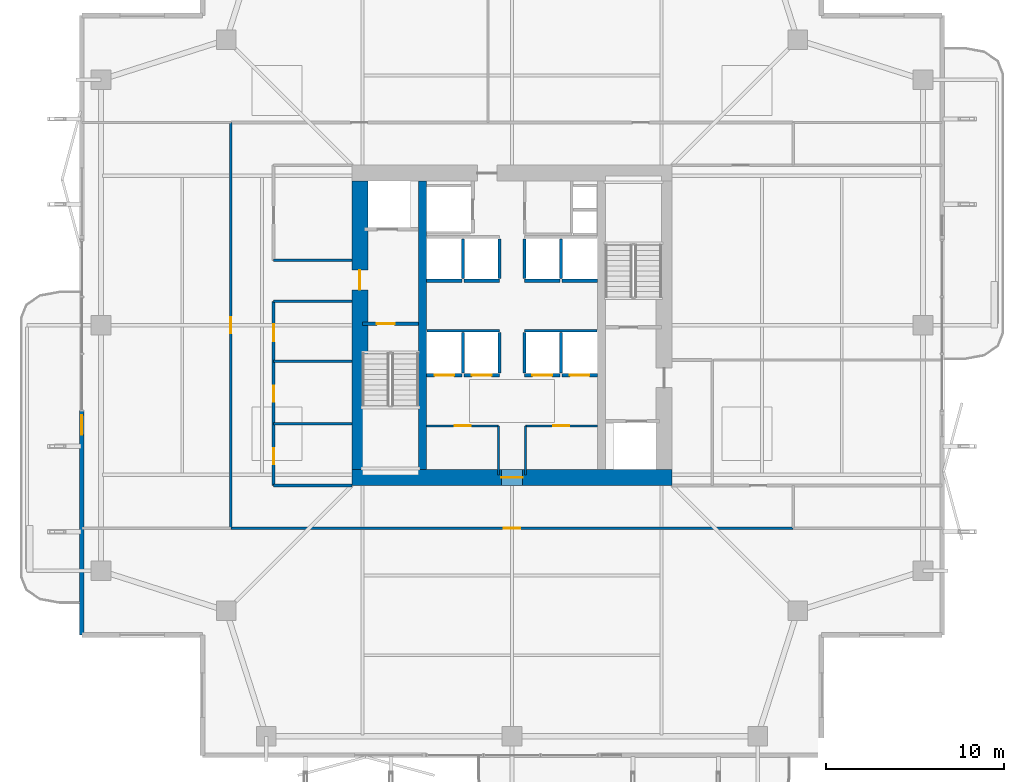
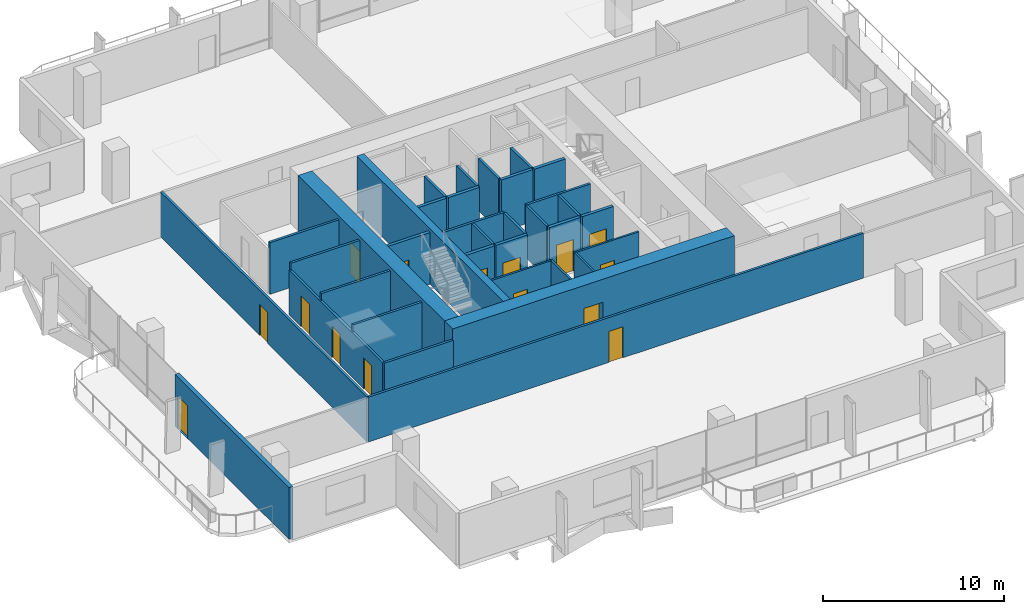
# One storey, part 18 of 23: 35 walls, 15 doors, 15 openings.
"""IFC4 building model written with IfcOpenShell, lengths in metres."""

from ifc_helpers import new_model, si_unit, direction, frame, frame_2d, origin, place, context, subcontext, project, spatial, rectangle, extrude, material, layer, layer_set, type_object, element, fill, save


model = new_model("IFC4")

# Units and contexts
model_context = context("Model", 3, precision=1e-05, world=origin(), true_north=direction((0.0, 1.0)))
body_context = subcontext(model_context, "Body", "Model", "MODEL_VIEW")
ifc_project = project(units=[si_unit("LENGTHUNIT", "METRE"), si_unit("AREAUNIT", "SQUARE_METRE"), si_unit("VOLUMEUNIT", "CUBIC_METRE"), si_unit("PLANEANGLEUNIT", "RADIAN"), si_unit("MASSUNIT", "GRAM", prefix="KILO")], contexts=[model_context])

# Site, building, storey
site_placement = place(None, origin())
site = spatial("IfcSite", under=ifc_project, at=site_placement, CompositionType="ELEMENT")
building_placement = place(site_placement, origin())
building = spatial("IfcBuilding", under=site, at=building_placement, Name="Belovzor Exchange Tower", CompositionType="ELEMENT")
storey_placement = place(building_placement, frame((0.0, 0.0, 157.050048828125)))
storey = spatial("IfcBuildingStorey", under=building, at=storey_placement, Name="L38", CompositionType="ELEMENT", Elevation=157.050048828125)

# Wall, opening, door
ifc_material_1 = material(Name="Fire-Rated Plasterboard on Galvanised Studs", Category="gypsum")
ifc_layer_1 = layer(ifc_material_1, 0.1201171875)
ifc_layer_set_1 = layer_set([ifc_layer_1], Name="Fire-Rated Plasterboard on Galvanised Studs")
wall_type_1 = type_object("IfcWallType", Name="Fire-Rated Double-Stud Partition Wall 120", PredefinedType="PARTITIONING", material=ifc_layer_set_1)
wall_1_placement = place(storey_placement, frame((24.0, 23.14990234375, 0.0), z_axis=(0.0, 0.0, 1.0), x_axis=(1.0, 0.0, 0.0)))
wall_1 = element("IfcWall", 1, at=wall_1_placement, inside=storey, type_object=wall_type_1, Name="W-P120F Partition Wall W-CRL-L38-WN", PredefinedType="PARTITIONING", context=body_context, shape_type="SweptSolid", body=[
    extrude(rectangle(XDim=4.050048828125, YDim=0.1201171875, at=frame_2d((2.02490234375, 0.0))), origin(), (0.0, 0.0, 1.0), 3.494873046875),
])
opening_1_placement = place(wall_1_placement, frame((1.574951171875, 0.0, 0.0)))
opening_1 = element("IfcOpeningElement", 2, at=opening_1_placement, cuts=wall_1, Name="Opening D-FD60-090", PredefinedType="OPENING", context=body_context, shape_type="SweptSolid", body=[
    extrude(rectangle(XDim=0.89990234375, YDim=2.10009765625, at=frame_2d((0.449951171875, 1.050048828125))), frame((0.0, 0.070068359375, 0.0), z_axis=(0.0, -1.0, 0.0), x_axis=(1.0, 0.0, 0.0)), (0.0, 0.0, 1.0), 0.14013671875),
])
ifc_material_2 = material(Name="Acoustic Timber Fire Leaf", Category="wood")
door_type_1 = type_object("IfcDoorType", Name="Core Service & Restroom Fire Door 900x2100", OperationType="NOTDEFINED", PredefinedType="DOOR", material=ifc_material_2)
door_1_placement = place(opening_1_placement, origin())
door_1 = element("IfcDoor", 3, at=door_1_placement, inside=storey, type_object=door_type_1, Name="D-FD60-090 Core Service & Restroom Fire Door 900x2100", OperationType="SINGLE_SWING_LEFT", OverallHeight=2.10009765625, OverallWidth=0.89990234375, PredefinedType="DOOR", context=body_context, shape_type="SweptSolid", body=[
    extrude(rectangle(XDim=0.89990234375, YDim=2.10009765625, at=frame_2d((0.449951171875, 1.050048828125))), frame((0.0, 0.02490234375, 0.0), z_axis=(0.0, -1.0, 0.0), x_axis=(1.0, 0.0, 0.0)), (0.0, 0.0, 1.0), 0.050048828125),
])
fill(opening_1, door_1)

# Wall
wall_2_placement = place(storey_placement, frame((28.050048828125, 20.39990234375, 0.0), z_axis=(0.0, 0.0, 1.0), x_axis=(0.0, 1.0, 0.0)))
element("IfcWall", 4, at=wall_2_placement, inside=storey, type_object=wall_type_1, Name="W-P120F Partition Wall W-CRL-L38-WE", PredefinedType="PARTITIONING", context=body_context, shape_type="SweptSolid", body=[
    extrude(rectangle(XDim=2.75, YDim=0.1201171875, at=frame_2d((1.375, 0.0))), origin(), (0.0, 0.0, 1.0), 3.494873046875),
])

# Wall, opening, door
wall_3_placement = place(storey_placement, frame((29.550048828125, 23.14990234375, 0.0), z_axis=(0.0, 0.0, 1.0), x_axis=(1.0, 0.0, 0.0)))
wall_3 = element("IfcWall", 5, at=wall_3_placement, inside=storey, type_object=wall_type_1, Name="W-P120F Partition Wall W-CRL-L38-EN", PredefinedType="PARTITIONING", context=body_context, shape_type="SweptSolid", body=[
    extrude(rectangle(XDim=4.050048828125, YDim=0.1201171875, at=frame_2d((2.02490234375, 0.0))), origin(), (0.0, 0.0, 1.0), 3.494873046875),
])
opening_2_placement = place(wall_3_placement, frame((1.574951171875, 0.0, 0.0)))
opening_2 = element("IfcOpeningElement", 6, at=opening_2_placement, cuts=wall_3, Name="Opening D-FD60-090", PredefinedType="OPENING", context=body_context, shape_type="SweptSolid", body=[
    extrude(rectangle(XDim=0.89990234375, YDim=2.10009765625, at=frame_2d((0.449951171875, 1.050048828125))), frame((0.0, 0.070068359375, 0.0), z_axis=(0.0, -1.0, 0.0), x_axis=(1.0, 0.0, 0.0)), (0.0, 0.0, 1.0), 0.14013671875),
])
door_2_placement = place(opening_2_placement, origin())
door_2 = element("IfcDoor", 7, at=door_2_placement, inside=storey, type_object=door_type_1, Name="D-FD60-090 Core Service & Restroom Fire Door 900x2100", OperationType="SINGLE_SWING_RIGHT", OverallHeight=2.10009765625, OverallWidth=0.89990234375, PredefinedType="DOOR", context=body_context, shape_type="SweptSolid", body=[
    extrude(rectangle(XDim=0.89990234375, YDim=2.10009765625, at=frame_2d((0.449951171875, 1.050048828125))), frame((0.0, 0.02490234375, 0.0), z_axis=(0.0, -1.0, 0.0), x_axis=(1.0, 0.0, 0.0)), (0.0, 0.0, 1.0), 0.050048828125),
])
fill(opening_2, door_2)

# Walls
wall_4_placement = place(storey_placement, frame((29.550048828125, 20.39990234375, 0.0), z_axis=(0.0, 0.0, 1.0), x_axis=(0.0, 1.0, 0.0)))
element("IfcWall", 8, at=wall_4_placement, inside=storey, type_object=wall_type_1, Name="W-P120F Partition Wall W-CRL-L38-EW", PredefinedType="PARTITIONING", context=body_context, shape_type="SweptSolid", body=[
    extrude(rectangle(XDim=2.75, YDim=0.1201171875, at=frame_2d((1.375, 0.0))), origin(), (0.0, 0.0, 1.0), 3.494873046875),
])
ifc_material_3 = material(Name="Fire-Rated Gypsum Block and Mineral Wool", Category="gypsum")
ifc_layer_2 = layer(ifc_material_3, 0.14990234375)
ifc_layer_set_2 = layer_set([ifc_layer_2], Name="Fire-Rated Gypsum Block and Mineral Wool")
wall_type_2 = type_object("IfcWallType", Name="Fire-Rated Gypsum Block Corridor Wall 150", PredefinedType="PARTITIONING", material=ifc_layer_set_2)
wall_5_placement = place(storey_placement, frame((15.39990234375, 19.800048828125, 0.0), z_axis=(0.0, 0.0, 1.0), x_axis=(1.0, 0.0, 0.0)))
element("IfcWall", 9, at=wall_5_placement, inside=storey, type_object=wall_type_2, Name="W-P150 Partition Wall W-L38-WIC-S", PredefinedType="PARTITIONING", context=body_context, shape_type="SweptSolid", body=[
    extrude(rectangle(XDim=4.400146484375, YDim=0.14990234375, at=frame_2d((2.2001953125, 0.0))), origin(), (0.0, 0.0, 1.0), 3.030029296875),
])
for number, where, z_axis, x_axis, name in (
    (10, (15.39990234375, 23.27490234375, 0.0), (0.0, 0.0, 1.0), (1.0, 0.0, 0.0), "W-P150 Partition Wall W-L38-WIC-D1"),
    (11, (15.39990234375, 26.77490234375, 0.0), (0.0, 0.0, 1.0), (1.0, 0.0, 0.0), "W-P150 Partition Wall W-L38-WIC-D2"),
    (12, (15.39990234375, 30.14990234375, 0.0), (0.0, 0.0, 1.0), (1.0, 0.0, 0.0), "W-P150 Partition Wall W-L38-WIC-N"),
    (13, (15.39990234375, 32.449951171875, 0.0), (0.0, 0.0, 1.0), (1.0, 0.0, 0.0), "W-P150 Partition Wall W-L38-CFW-N"),
):
    element("IfcWall", number, at=place(storey_placement, frame(where, z_axis=z_axis, x_axis=x_axis)), inside=storey, type_object=wall_type_2, Name=name, PredefinedType="PARTITIONING", context=body_context, shape_type="SweptSolid", body=[
        extrude(rectangle(XDim=4.400146484375, YDim=0.14990234375, at=frame_2d((2.2001953125, 0.0))), origin(), (0.0, 0.0, 1.0), 3.494873046875),
    ])

# Wall, openings, doors
wall_6_placement = place(storey_placement, frame((15.39990234375, 19.800048828125, 0.0), z_axis=(0.0, 0.0, 1.0), x_axis=(0.0, 1.0, 0.0)))
wall_6 = element("IfcWall", 14, at=wall_6_placement, inside=storey, type_object=wall_type_2, Name="W-P150 Partition Wall W-L38-WIE-S", PredefinedType="PARTITIONING", context=body_context, shape_type="SweptSolid", body=[
    extrude(rectangle(XDim=10.349853515625, YDim=0.14990234375, at=frame_2d((5.1748046875, 0.0))), origin(), (0.0, 0.0, 1.0), 3.030029296875),
])
opening_3_placement = place(wall_6_placement, frame((1.199951171875, 0.0, 0.0)))
opening_3 = element("IfcOpeningElement", 15, at=opening_3_placement, cuts=wall_6, Name="Opening D-FD60-090", PredefinedType="OPENING", context=body_context, shape_type="SweptSolid", body=[
    extrude(rectangle(XDim=0.89990234375, YDim=2.10009765625, at=frame_2d((0.449951171875, 1.050048828125))), frame((0.0, 0.0849609375, 0.0), z_axis=(0.0, -1.0, 0.0), x_axis=(1.0, 0.0, 0.0)), (0.0, 0.0, 1.0), 0.169921875),
])
opening_4_placement = place(wall_6_placement, frame((4.699951171875, 0.0, 0.0)))
opening_4 = element("IfcOpeningElement", 16, at=opening_4_placement, cuts=wall_6, Name="Opening D-FD60-090", PredefinedType="OPENING", context=body_context, shape_type="SweptSolid", body=[
    extrude(rectangle(XDim=0.89990234375, YDim=2.10009765625, at=frame_2d((0.449951171875, 1.050048828125))), frame((0.0, 0.0849609375, 0.0), z_axis=(0.0, -1.0, 0.0), x_axis=(1.0, 0.0, 0.0)), (0.0, 0.0, 1.0), 0.169921875),
])
opening_5_placement = place(wall_6_placement, frame((8.10009765625, 0.0, 0.0)))
opening_5 = element("IfcOpeningElement", 17, at=opening_5_placement, cuts=wall_6, Name="Opening D-FD60-095", PredefinedType="OPENING", context=body_context, shape_type="SweptSolid", body=[
    extrude(rectangle(XDim=0.949951171875, YDim=2.10009765625, at=frame_2d((0.47509765625, 1.050048828125))), frame((0.0, 0.0849609375, 0.0), z_axis=(0.0, -1.0, 0.0), x_axis=(1.0, 0.0, 0.0)), (0.0, 0.0, 1.0), 0.169921875),
])
ifc_material_4 = material(Name="Moisture-Resistant Timber Fire Leaf", Category="wood")
door_type_2 = type_object("IfcDoorType", Name="Accessible Restroom Wide Fire Door 950x2100", OperationType="NOTDEFINED", PredefinedType="DOOR", material=ifc_material_4)
door_3_placement = place(opening_5_placement, origin())
door_3 = element("IfcDoor", 18, at=door_3_placement, inside=storey, type_object=door_type_2, Name="D-FD60-095 Accessible Restroom Wide Fire Door 950x2100", OperationType="SINGLE_SWING_LEFT", OverallHeight=2.10009765625, OverallWidth=0.949951171875, PredefinedType="DOOR", context=body_context, shape_type="SweptSolid", body=[
    extrude(rectangle(XDim=0.949951171875, YDim=2.10009765625, at=frame_2d((0.47509765625, 1.050048828125))), frame((0.0, 0.02490234375, 0.0), z_axis=(0.0, -1.0, 0.0), x_axis=(1.0, 0.0, 0.0)), (0.0, 0.0, 1.0), 0.050048828125),
])
fill(opening_5, door_3)
door_4_placement = place(opening_3_placement, origin())
door_4 = element("IfcDoor", 19, at=door_4_placement, inside=storey, type_object=door_type_1, Name="D-FD60-090 Core Service & Restroom Fire Door 900x2100", OperationType="SINGLE_SWING_LEFT", OverallHeight=2.10009765625, OverallWidth=0.89990234375, PredefinedType="DOOR", context=body_context, shape_type="SweptSolid", body=[
    extrude(rectangle(XDim=0.89990234375, YDim=2.10009765625, at=frame_2d((0.449951171875, 1.050048828125))), frame((0.0, 0.02490234375, 0.0), z_axis=(0.0, -1.0, 0.0), x_axis=(1.0, 0.0, 0.0)), (0.0, 0.0, 1.0), 0.050048828125),
])
fill(opening_3, door_4)
door_5_placement = place(opening_4_placement, origin())
door_5 = element("IfcDoor", 20, at=door_5_placement, inside=storey, type_object=door_type_1, Name="D-FD60-090 Core Service & Restroom Fire Door 900x2100", OperationType="SINGLE_SWING_RIGHT", OverallHeight=2.10009765625, OverallWidth=0.89990234375, PredefinedType="DOOR", context=body_context, shape_type="SweptSolid", body=[
    extrude(rectangle(XDim=0.89990234375, YDim=2.10009765625, at=frame_2d((0.449951171875, 1.050048828125))), frame((0.0, 0.02490234375, 0.0), z_axis=(0.0, -1.0, 0.0), x_axis=(1.0, 0.0, 0.0)), (0.0, 0.0, 1.0), 0.050048828125),
])
fill(opening_4, door_5)

# Wall, opening, door
wall_7_placement = place(storey_placement, frame((13.0, 17.39990234375, 0.0), z_axis=(0.0, 0.0, 1.0), x_axis=(1.0, 0.0, 0.0)))
wall_7 = element("IfcWall", 21, at=wall_7_placement, inside=storey, type_object=wall_type_2, Name="W-P150 Partition Wall W-L38-CS", PredefinedType="PARTITIONING", context=body_context, shape_type="SweptSolid", body=[
    extrude(rectangle(XDim=31.60009765625, YDim=0.14990234375, at=frame_2d((15.800048828125, 0.0))), origin(), (0.0, 0.0, 1.0), 3.030029296875),
])
opening_6_placement = place(wall_7_placement, frame((15.35009765625, 0.0, 0.0)))
opening_6 = element("IfcOpeningElement", 22, at=opening_6_placement, cuts=wall_7, Name="Opening D-INT-090", PredefinedType="OPENING", context=body_context, shape_type="SweptSolid", body=[
    extrude(rectangle(XDim=0.89990234375, YDim=2.10009765625, at=frame_2d((0.449951171875, 1.050048828125))), frame((0.0, 0.0849609375, 0.0), z_axis=(0.0, -1.0, 0.0), x_axis=(1.0, 0.0, 0.0)), (0.0, 0.0, 1.0), 0.169921875),
])
ifc_material_5 = material(Name="Veneered Hardwood Acoustic Leaf", Category="wood")
door_type_3 = type_object("IfcDoorType", Name="Trading Suite Acoustic Single Door 900x2100", OperationType="NOTDEFINED", PredefinedType="DOOR", material=ifc_material_5)
door_6_placement = place(opening_6_placement, origin())
door_6 = element("IfcDoor", 23, at=door_6_placement, inside=storey, type_object=door_type_3, Name="D-INT-090 Trading Suite Acoustic Single Door 900x2100", OperationType="SINGLE_SWING_LEFT", OverallHeight=2.10009765625, OverallWidth=0.89990234375, PredefinedType="DOOR", context=body_context, shape_type="SweptSolid", body=[
    extrude(rectangle(XDim=0.89990234375, YDim=2.10009765625, at=frame_2d((0.449951171875, 1.050048828125))), frame((0.0, 0.02490234375, 0.0), z_axis=(0.0, -1.0, 0.0), x_axis=(1.0, 0.0, 0.0)), (0.0, 0.0, 1.0), 0.050048828125),
])
fill(opening_6, door_6)

wall_8_placement = place(storey_placement, frame((13.0, 17.39990234375, 0.0), z_axis=(0.0, 0.0, 1.0), x_axis=(0.0, 1.0, 0.0)))
wall_8 = element("IfcWall", 24, at=wall_8_placement, inside=storey, type_object=wall_type_2, Name="W-P150 Partition Wall W-L38-CWO", PredefinedType="PARTITIONING", context=body_context, shape_type="SweptSolid", body=[
    extrude(rectangle(XDim=22.800048828125, YDim=0.14990234375, at=frame_2d((11.39990234375, 0.0))), origin(), (0.0, 0.0, 1.0), 3.030029296875),
])
opening_7_placement = place(wall_8_placement, frame((10.949951171875, 0.0, 0.0)))
opening_7 = element("IfcOpeningElement", 25, at=opening_7_placement, cuts=wall_8, Name="Opening D-INT-090", PredefinedType="OPENING", context=body_context, shape_type="SweptSolid", body=[
    extrude(rectangle(XDim=0.89990234375, YDim=2.10009765625, at=frame_2d((0.449951171875, 1.050048828125))), frame((0.0, 0.0849609375, 0.0), z_axis=(0.0, -1.0, 0.0), x_axis=(1.0, 0.0, 0.0)), (0.0, 0.0, 1.0), 0.169921875),
])
door_7_placement = place(opening_7_placement, origin())
door_7 = element("IfcDoor", 26, at=door_7_placement, inside=storey, type_object=door_type_3, Name="D-INT-090 Trading Suite Acoustic Single Door 900x2100", OperationType="SINGLE_SWING_LEFT", OverallHeight=2.10009765625, OverallWidth=0.89990234375, PredefinedType="DOOR", context=body_context, shape_type="SweptSolid", body=[
    extrude(rectangle(XDim=0.89990234375, YDim=2.10009765625, at=frame_2d((0.449951171875, 1.050048828125))), frame((0.0, 0.02490234375, 0.0), z_axis=(0.0, -1.0, 0.0), x_axis=(1.0, 0.0, 0.0)), (0.0, 0.0, 1.0), 0.050048828125),
])
fill(opening_7, door_7)

ifc_material_6 = material(Name="Precast concrete C40/50", Category="concrete")
ifc_layer_3 = layer(ifc_material_6, 0.260009765625)
ifc_layer_set_3 = layer_set([ifc_layer_3], Name="Precast concrete C40/50")
wall_type_3 = type_object("IfcWallType", Name="Precast Concrete Perimeter Loggia Frame Wall 260", PredefinedType="SOLIDWALL", material=ifc_layer_set_3)
wall_9_placement = place(storey_placement, frame((4.6298828125, 11.39990234375, 0.0), z_axis=(0.0, 0.0, 1.0), x_axis=(0.0, 1.0, 0.0)))
wall_9 = element("IfcWall", 27, at=wall_9_placement, inside=storey, type_object=wall_type_3, Name="W-EXT260 Precast Concrete Perimeter Loggia Frame Wall 260 L38", PredefinedType="SOLIDWALL", context=body_context, shape_type="SweptSolid", body=[
    extrude(rectangle(XDim=12.60009765625, YDim=0.260009765625, at=frame_2d((6.300048828125, 0.0))), origin(), (0.0, 0.0, 1.0), 3.494873046875),
])
opening_8_placement = place(wall_9_placement, frame((11.25, 0.0, 0.0)))
opening_8 = element("IfcOpeningElement", 28, at=opening_8_placement, cuts=wall_9, Name="Opening D-BAL110", PredefinedType="OPENING", context=body_context, shape_type="SweptSolid", body=[
    extrude(rectangle(XDim=1.10009765625, YDim=2.199951171875, at=frame_2d((0.550048828125, 1.10009765625))), frame((0.0, 0.139892578125, 0.0), z_axis=(0.0, -1.0, 0.0), x_axis=(1.0, 0.0, 0.0)), (0.0, 0.0, 1.0), 0.280029296875),
])
ifc_material_7 = material(Name="Thermally Broken Anodised Aluminium and Laminated Glass", Category="aluminium")
door_type_4 = type_object("IfcDoorType", Name="Planted Loggia Terrace Glazed Door 1100x2200", OperationType="SINGLE_SWING_LEFT", PredefinedType="DOOR", material=ifc_material_7)
door_8_placement = place(opening_8_placement, origin())
door_8 = element("IfcDoor", 29, at=door_8_placement, inside=storey, type_object=door_type_4, Name="D-BAL110 Balcony Terrace Door L38 W", OperationType="SINGLE_SWING_RIGHT", OverallHeight=2.199951171875, OverallWidth=1.10009765625, PredefinedType="DOOR", context=body_context, shape_type="SweptSolid", body=[
    extrude(rectangle(XDim=1.10009765625, YDim=2.199951171875, at=frame_2d((0.550048828125, 1.10009765625))), frame((0.0, 0.02490234375, 0.0), z_axis=(0.0, -1.0, 0.0), x_axis=(1.0, 0.0, 0.0)), (0.0, 0.0, 1.0), 0.050048828125),
])
fill(opening_8, door_8)

# Walls
ifc_material_8 = material(Name="Concrete C50/60", Category="concrete")
ifc_layer_4 = layer(ifc_material_8, 0.449951171875)
ifc_layer_set_4 = layer_set([ifc_layer_4], Name="Concrete C50/60")
wall_type_4 = type_object("IfcWallType", Name="Reinforced Concrete Core Internal Web Wall 450", PredefinedType="SHEAR", material=ifc_layer_set_4)
wall_10_placement = place(storey_placement, frame((23.77490234375, 20.699951171875, 0.0), z_axis=(0.0, 0.0, 1.0), x_axis=(0.0, 1.0, 0.0)))
element("IfcWall", 30, at=wall_10_placement, inside=storey, type_object=wall_type_4, Name="CW-W045 Core Internal Web Wall L38 WL", PredefinedType="SHEAR", context=body_context, shape_type="SweptSolid", body=[
    extrude(rectangle(XDim=16.199951171875, YDim=0.449951171875, at=frame_2d((8.10009765625, 0.0))), origin(), (0.0, 0.0, 1.0), 3.75),
])
ifc_material_9 = material(Name="Concrete C50/60", Category="concrete")
ifc_layer_5 = layer(ifc_material_9, 0.14990234375)
ifc_layer_set_5 = layer_set([ifc_layer_5], Name="Concrete C50/60")
wall_type_5 = type_object("IfcWallType", Name="Reinforced Concrete Core Riser Shear Wall 150", PredefinedType="SHEAR", material=ifc_layer_set_5)
for number, where, z_axis, x_axis, name in (
    (31, (24.02001953125, 28.5, 0.0), (0.0, 0.0, 1.0), (1.0, 0.0, 0.0), "W-C150S Core Shaft Wall W-SHB-L38-PLM-NW"),
    (32, (29.5, 28.5, 0.0), (0.0, 0.0, 1.0), (1.0, 0.0, 0.0), "W-C150S Core Shaft Wall W-SHB-L38-PLM-NE"),
):
    element("IfcWall", number, at=place(storey_placement, frame(where, z_axis=z_axis, x_axis=x_axis)), inside=storey, type_object=wall_type_5, Name=name, PredefinedType="SHEAR", context=body_context, shape_type="SweptSolid", body=[
        extrude(rectangle(XDim=4.080078125, YDim=0.14990234375, at=frame_2d((2.0400390625, 0.0))), origin(), (0.0, 0.0, 1.0), 3.494873046875),
    ])
for number, where, z_axis, x_axis, name in (
    (33, (26.050048828125, 26.1201171875, 0.0), (0.0, 0.0, 1.0), (0.0, 1.0, 0.0), "W-C150S Core Shaft Wall W-SHD-L38-PLM-1"),
    (34, (28.10009765625, 26.1201171875, 0.0), (0.0, 0.0, 1.0), (0.0, 1.0, 0.0), "W-C150S Core Shaft Wall W-SHD-L38-PLM-2"),
    (35, (29.5, 26.1201171875, 0.0), (0.0, 0.0, 1.0), (0.0, 1.0, 0.0), "W-C150S Core Shaft Wall W-SHD-L38-PLM-3"),
    (36, (31.550048828125, 26.1201171875, 0.0), (0.0, 0.0, 1.0), (0.0, 1.0, 0.0), "W-C150S Core Shaft Wall W-SHD-L38-PLM-4"),
):
    element("IfcWall", number, at=place(storey_placement, frame(where, z_axis=z_axis, x_axis=x_axis)), inside=storey, type_object=wall_type_5, Name=name, PredefinedType="SHEAR", context=body_context, shape_type="SweptSolid", body=[
        extrude(rectangle(XDim=2.27978515625, YDim=0.14990234375, at=frame_2d((1.139892578125, 0.0))), origin(), (0.0, 0.0, 1.0), 3.494873046875),
    ])
for number, where, z_axis, x_axis, name in (
    (37, (26.050048828125, 31.419921875, 0.0), (0.0, 0.0, 1.0), (0.0, 1.0, 0.0), "W-C150S Core Shaft Wall W-SHD-L38-PLH-1"),
    (38, (28.10009765625, 31.419921875, 0.0), (0.0, 0.0, 1.0), (0.0, 1.0, 0.0), "W-C150S Core Shaft Wall W-SHD-L38-PLH-2"),
    (39, (29.5, 31.419921875, 0.0), (0.0, 0.0, 1.0), (0.0, 1.0, 0.0), "W-C150S Core Shaft Wall W-SHD-L38-PLH-3"),
    (40, (31.550048828125, 31.419921875, 0.0), (0.0, 0.0, 1.0), (0.0, 1.0, 0.0), "W-C150S Core Shaft Wall W-SHD-L38-PLH-4"),
):
    element("IfcWall", number, at=place(storey_placement, frame(where, z_axis=z_axis, x_axis=x_axis)), inside=storey, type_object=wall_type_5, Name=name, PredefinedType="SHEAR", context=body_context, shape_type="SweptSolid", body=[
        extrude(rectangle(XDim=2.239990234375, YDim=0.14990234375, at=frame_2d((1.1201171875, 0.0))), origin(), (0.0, 0.0, 1.0), 3.494873046875),
    ])

# Wall, opening, door
ifc_material_10 = material(Name="Concrete C50/60", Category="concrete")
ifc_layer_6 = layer(ifc_material_10, 0.199951171875)
ifc_layer_set_6 = layer_set([ifc_layer_6], Name="Concrete C50/60")
wall_type_6 = type_object("IfcWallType", Name="Reinforced Concrete Core Shaft Shear Wall 200", PredefinedType="SHEAR", material=ifc_layer_set_6)
wall_11_placement = place(storey_placement, frame((20.39990234375, 28.89990234375, 0.0), z_axis=(0.0, 0.0, 1.0), x_axis=(1.0, 0.0, 0.0)))
wall_11 = element("IfcWall", 41, at=wall_11_placement, inside=storey, type_object=wall_type_6, Name="W-C200S Core Shaft Wall W-CORE-L38-FFLW1", PredefinedType="SHEAR", context=body_context, shape_type="SweptSolid", body=[
    extrude(rectangle(XDim=3.150146484375, YDim=0.199951171875, at=frame_2d((1.5751953125, 0.0))), origin(), (0.0, 0.0, 1.0), 3.494873046875),
])
opening_9_placement = place(wall_11_placement, frame((0.800048828125, 0.0, 0.0)))
opening_9 = element("IfcOpeningElement", 42, at=opening_9_placement, cuts=wall_11, Name="Opening D-FD90-100", PredefinedType="OPENING", context=body_context, shape_type="SweptSolid", body=[
    extrude(rectangle(XDim=1.0, YDim=2.10009765625, at=frame_2d((0.5, 1.050048828125))), frame((0.0, 0.10986328125, 0.0), z_axis=(0.0, -1.0, 0.0), x_axis=(1.0, 0.0, 0.0)), (0.0, 0.0, 1.0), 0.219970703125),
])
ifc_material_11 = material(Name="Fire-Rated Galvanised Steel Leaf", Category="steel")
door_type_5 = type_object("IfcDoorType", Name="Protected Stairwell Single Fire Door 1000x2100", OperationType="NOTDEFINED", PredefinedType="DOOR", material=ifc_material_11)
door_9_placement = place(opening_9_placement, origin())
door_9 = element("IfcDoor", 43, at=door_9_placement, inside=storey, type_object=door_type_5, Name="D-FD90-100 Protected Stairwell Single Fire Door 1000x2100", OperationType="SINGLE_SWING_RIGHT", OverallHeight=2.10009765625, OverallWidth=1.0, PredefinedType="DOOR", context=body_context, shape_type="SweptSolid", body=[
    extrude(rectangle(XDim=1.0, YDim=2.10009765625, at=frame_2d((0.5, 1.050048828125))), frame((0.0, 0.02490234375, 0.0), z_axis=(0.0, -1.0, 0.0), x_axis=(1.0, 0.0, 0.0)), (0.0, 0.0, 1.0), 0.050048828125),
])
fill(opening_9, door_9)

wall_12_placement = place(storey_placement, frame((24.0, 26.0, 0.0), z_axis=(0.0, 0.0, 1.0), x_axis=(1.0, 0.0, 0.0)))
wall_12 = element("IfcWall", 44, at=wall_12_placement, inside=storey, type_object=wall_type_6, Name="W-C200S Core Shaft Wall W-SH-L38-PL-M1", PredefinedType="SHEAR", context=body_context, shape_type="SweptSolid", body=[
    extrude(rectangle(XDim=2.0, YDim=0.199951171875, at=frame_2d((1.0, 0.0))), origin(), (0.0, 0.0, 1.0), 3.494873046875),
])
opening_10_placement = place(wall_12_placement, frame((0.449951171875, 0.0, 0.0)))
opening_10 = element("IfcOpeningElement", 45, at=opening_10_placement, cuts=wall_12, Name="Opening LD-110", PredefinedType="OPENING", context=body_context, shape_type="SweptSolid", body=[
    extrude(rectangle(XDim=1.10009765625, YDim=2.14990234375, at=frame_2d((0.550048828125, 1.074951171875))), frame((0.0, 0.10986328125, 0.0), z_axis=(0.0, -1.0, 0.0), x_axis=(1.0, 0.0, 0.0)), (0.0, 0.0, 1.0), 0.219970703125),
])
ifc_material_12 = material(Name="Stainless Steel Grade 304", Category="steel")
door_type_6 = type_object("IfcDoorType", Name="Automated Stainless Steel Lift Landing Door 1100x2150", OperationType="SLIDING_TO_RIGHT", PredefinedType="DOOR", material=ifc_material_12)
door_10_placement = place(opening_10_placement, origin())
door_10 = element("IfcDoor", 46, at=door_10_placement, inside=storey, type_object=door_type_6, Name="LD-110 Automated Stainless Steel Lift Landing Door 1100x2150", OperationType="SLIDING_TO_RIGHT", OverallHeight=2.14990234375, OverallWidth=1.10009765625, PredefinedType="DOOR", context=body_context, shape_type="SweptSolid", body=[
    extrude(rectangle(XDim=1.10009765625, YDim=2.14990234375, at=frame_2d((0.550048828125, 1.074951171875))), frame((0.0, 0.02490234375, 0.0), z_axis=(0.0, -1.0, 0.0), x_axis=(1.0, 0.0, 0.0)), (0.0, 0.0, 1.0), 0.050048828125),
])
fill(opening_10, door_10)

wall_13_placement = place(storey_placement, frame((26.10009765625, 26.0, 0.0), z_axis=(0.0, 0.0, 1.0), x_axis=(1.0, 0.0, 0.0)))
wall_13 = element("IfcWall", 47, at=wall_13_placement, inside=storey, type_object=wall_type_6, Name="W-C200S Core Shaft Wall W-SH-L38-PL-M2", PredefinedType="SHEAR", context=body_context, shape_type="SweptSolid", body=[
    extrude(rectangle(XDim=2.0, YDim=0.199951171875, at=frame_2d((1.0, 0.0))), origin(), (0.0, 0.0, 1.0), 3.494873046875),
])
opening_11_placement = place(wall_13_placement, frame((0.449951171875, 0.0, 0.0)))
opening_11 = element("IfcOpeningElement", 48, at=opening_11_placement, cuts=wall_13, Name="Opening LD-110", PredefinedType="OPENING", context=body_context, shape_type="SweptSolid", body=[
    extrude(rectangle(XDim=1.10009765625, YDim=2.14990234375, at=frame_2d((0.550048828125, 1.074951171875))), frame((0.0, 0.10986328125, 0.0), z_axis=(0.0, -1.0, 0.0), x_axis=(1.0, 0.0, 0.0)), (0.0, 0.0, 1.0), 0.219970703125),
])
door_11_placement = place(opening_11_placement, origin())
door_11 = element("IfcDoor", 49, at=door_11_placement, inside=storey, type_object=door_type_6, Name="LD-110 Automated Stainless Steel Lift Landing Door 1100x2150", OperationType="SLIDING_TO_RIGHT", OverallHeight=2.14990234375, OverallWidth=1.10009765625, PredefinedType="DOOR", context=body_context, shape_type="SweptSolid", body=[
    extrude(rectangle(XDim=1.10009765625, YDim=2.14990234375, at=frame_2d((0.550048828125, 1.074951171875))), frame((0.0, 0.02490234375, 0.0), z_axis=(0.0, -1.0, 0.0), x_axis=(1.0, 0.0, 0.0)), (0.0, 0.0, 1.0), 0.050048828125),
])
fill(opening_11, door_11)

wall_14_placement = place(storey_placement, frame((29.5, 26.0, 0.0), z_axis=(0.0, 0.0, 1.0), x_axis=(1.0, 0.0, 0.0)))
wall_14 = element("IfcWall", 50, at=wall_14_placement, inside=storey, type_object=wall_type_6, Name="W-C200S Core Shaft Wall W-SH-L38-PL-M3", PredefinedType="SHEAR", context=body_context, shape_type="SweptSolid", body=[
    extrude(rectangle(XDim=2.0, YDim=0.199951171875, at=frame_2d((1.0, 0.0))), origin(), (0.0, 0.0, 1.0), 3.494873046875),
])
opening_12_placement = place(wall_14_placement, frame((0.449951171875, 0.0, 0.0)))
opening_12 = element("IfcOpeningElement", 51, at=opening_12_placement, cuts=wall_14, Name="Opening LD-110", PredefinedType="OPENING", context=body_context, shape_type="SweptSolid", body=[
    extrude(rectangle(XDim=1.10009765625, YDim=2.14990234375, at=frame_2d((0.550048828125, 1.074951171875))), frame((0.0, 0.10986328125, 0.0), z_axis=(0.0, -1.0, 0.0), x_axis=(1.0, 0.0, 0.0)), (0.0, 0.0, 1.0), 0.219970703125),
])
door_12_placement = place(opening_12_placement, origin())
door_12 = element("IfcDoor", 52, at=door_12_placement, inside=storey, type_object=door_type_6, Name="LD-110 Automated Stainless Steel Lift Landing Door 1100x2150", OperationType="SLIDING_TO_RIGHT", OverallHeight=2.14990234375, OverallWidth=1.10009765625, PredefinedType="DOOR", context=body_context, shape_type="SweptSolid", body=[
    extrude(rectangle(XDim=1.10009765625, YDim=2.14990234375, at=frame_2d((0.550048828125, 1.074951171875))), frame((0.0, 0.02490234375, 0.0), z_axis=(0.0, -1.0, 0.0), x_axis=(1.0, 0.0, 0.0)), (0.0, 0.0, 1.0), 0.050048828125),
])
fill(opening_12, door_12)

wall_15_placement = place(storey_placement, frame((31.60009765625, 26.0, 0.0), z_axis=(0.0, 0.0, 1.0), x_axis=(1.0, 0.0, 0.0)))
wall_15 = element("IfcWall", 53, at=wall_15_placement, inside=storey, type_object=wall_type_6, Name="W-C200S Core Shaft Wall W-SH-L38-PL-M4", PredefinedType="SHEAR", context=body_context, shape_type="SweptSolid", body=[
    extrude(rectangle(XDim=2.0, YDim=0.199951171875, at=frame_2d((1.0, 0.0))), origin(), (0.0, 0.0, 1.0), 3.494873046875),
])
opening_13_placement = place(wall_15_placement, frame((0.449951171875, 0.0, 0.0)))
opening_13 = element("IfcOpeningElement", 54, at=opening_13_placement, cuts=wall_15, Name="Opening LD-110", PredefinedType="OPENING", context=body_context, shape_type="SweptSolid", body=[
    extrude(rectangle(XDim=1.10009765625, YDim=2.14990234375, at=frame_2d((0.550048828125, 1.074951171875))), frame((0.0, 0.10986328125, 0.0), z_axis=(0.0, -1.0, 0.0), x_axis=(1.0, 0.0, 0.0)), (0.0, 0.0, 1.0), 0.219970703125),
])
door_13_placement = place(opening_13_placement, origin())
door_13 = element("IfcDoor", 55, at=door_13_placement, inside=storey, type_object=door_type_6, Name="LD-110 Automated Stainless Steel Lift Landing Door 1100x2150", OperationType="SLIDING_TO_RIGHT", OverallHeight=2.14990234375, OverallWidth=1.10009765625, PredefinedType="DOOR", context=body_context, shape_type="SweptSolid", body=[
    extrude(rectangle(XDim=1.10009765625, YDim=2.14990234375, at=frame_2d((0.550048828125, 1.074951171875))), frame((0.0, 0.02490234375, 0.0), z_axis=(0.0, -1.0, 0.0), x_axis=(1.0, 0.0, 0.0)), (0.0, 0.0, 1.0), 0.050048828125),
])
fill(opening_13, door_13)

# Walls
for number, where, z_axis, x_axis, name in (
    (56, (24.0, 31.300048828125, 0.0), (0.0, 0.0, 1.0), (1.0, 0.0, 0.0), "W-C200S Core Shaft Wall W-SH-L38-PL-H1"),
    (57, (26.10009765625, 31.300048828125, 0.0), (0.0, 0.0, 1.0), (1.0, 0.0, 0.0), "W-C200S Core Shaft Wall W-SH-L38-PL-H2"),
    (58, (29.5, 31.300048828125, 0.0), (0.0, 0.0, 1.0), (1.0, 0.0, 0.0), "W-C200S Core Shaft Wall W-SH-L38-PL-H3"),
    (59, (31.60009765625, 31.300048828125, 0.0), (0.0, 0.0, 1.0), (1.0, 0.0, 0.0), "W-C200S Core Shaft Wall W-SH-L38-PL-H4"),
):
    element("IfcWall", number, at=place(storey_placement, frame(where, z_axis=z_axis, x_axis=x_axis)), inside=storey, type_object=wall_type_6, Name=name, PredefinedType="SHEAR", context=body_context, shape_type="SweptSolid", body=[
        extrude(rectangle(XDim=2.0, YDim=0.199951171875, at=frame_2d((1.0, 0.0))), origin(), (0.0, 0.0, 1.0), 3.494873046875),
    ])

# Wall, opening, door
ifc_material_13 = material(Name="Concrete C60/75", Category="concrete")
ifc_layer_7 = layer(ifc_material_13, 0.89990234375)
ifc_layer_set_7 = layer_set([ifc_layer_7], Name="Concrete C60/75")
wall_type_7 = type_object("IfcWallType", Name="Reinforced Concrete Core Shear Wall 900", PredefinedType="SHEAR", material=ifc_layer_set_7)
wall_16_placement = place(storey_placement, frame((19.800048828125, 20.25, 0.0), z_axis=(0.0, 0.0, 1.0), x_axis=(1.0, 0.0, 0.0)))
wall_16 = element("IfcWall", 60, at=wall_16_placement, inside=storey, type_object=wall_type_7, Name="CW-S090 Core Shear Wall L38 S", PredefinedType="SHEAR", context=body_context, shape_type="SweptSolid", body=[
    extrude(rectangle(XDim=18.0, YDim=0.89990234375, at=frame_2d((9.0, 0.0))), origin(), (0.0, 0.0, 1.0), 3.75),
])
opening_14_placement = place(wall_16_placement, frame((8.39990234375, 0.0, 0.0)))
opening_14 = element("IfcOpeningElement", 61, at=opening_14_placement, cuts=wall_16, Name="Opening D-FD90-120", PredefinedType="OPENING", context=body_context, shape_type="SweptSolid", body=[
    extrude(rectangle(XDim=1.199951171875, YDim=2.199951171875, at=frame_2d((0.60009765625, 1.10009765625))), frame((0.0, 0.4599609375, 0.0), z_axis=(0.0, -1.0, 0.0), x_axis=(1.0, 0.0, 0.0)), (0.0, 0.0, 1.0), 0.919921875),
])
ifc_material_14 = material(Name="Fire-Rated Galvanised Steel Leaf", Category="steel")
door_type_7 = type_object("IfcDoorType", Name="Heavy Plant & Foyer Fire Door 1200x2200", OperationType="NOTDEFINED", PredefinedType="DOOR", material=ifc_material_14)
door_14_placement = place(opening_14_placement, origin())
door_14 = element("IfcDoor", 62, at=door_14_placement, inside=storey, type_object=door_type_7, Name="D-FD90-120 Heavy Plant & Foyer Fire Door 1200x2200", OperationType="SINGLE_SWING_LEFT", OverallHeight=2.199951171875, OverallWidth=1.199951171875, PredefinedType="DOOR", context=body_context, shape_type="SweptSolid", body=[
    extrude(rectangle(XDim=1.199951171875, YDim=2.199951171875, at=frame_2d((0.60009765625, 1.10009765625))), frame((0.0, 0.02490234375, 0.0), z_axis=(0.0, -1.0, 0.0), x_axis=(1.0, 0.0, 0.0)), (0.0, 0.0, 1.0), 0.050048828125),
])
fill(opening_14, door_14)

wall_17_placement = place(storey_placement, frame((20.25, 20.699951171875, 0.0), z_axis=(0.0, 0.0, 1.0), x_axis=(0.0, 1.0, 0.0)))
wall_17 = element("IfcWall", 63, at=wall_17_placement, inside=storey, type_object=wall_type_7, Name="CW-S090 Core Shear Wall L38 W", PredefinedType="SHEAR", context=body_context, shape_type="SweptSolid", body=[
    extrude(rectangle(XDim=16.199951171875, YDim=0.89990234375, at=frame_2d((8.10009765625, 0.0))), origin(), (0.0, 0.0, 1.0), 3.75),
])
opening_15_placement = place(wall_17_placement, frame((10.10009765625, 0.0, 0.0)))
opening_15 = element("IfcOpeningElement", 64, at=opening_15_placement, cuts=wall_17, Name="Opening D-FD90-110", PredefinedType="OPENING", context=body_context, shape_type="SweptSolid", body=[
    extrude(rectangle(XDim=1.10009765625, YDim=2.14990234375, at=frame_2d((0.550048828125, 1.074951171875))), frame((0.0, 0.4599609375, 0.0), z_axis=(0.0, -1.0, 0.0), x_axis=(1.0, 0.0, 0.0)), (0.0, 0.0, 1.0), 0.919921875),
])
ifc_material_15 = material(Name="Fire-Rated Galvanised Steel Leaf", Category="steel")
door_type_8 = type_object("IfcDoorType", Name="Protected Escape Vestibule Fire Door 1100x2150", OperationType="NOTDEFINED", PredefinedType="DOOR", material=ifc_material_15)
door_15_placement = place(opening_15_placement, origin())
door_15 = element("IfcDoor", 65, at=door_15_placement, inside=storey, type_object=door_type_8, Name="D-FD90-110 Protected Escape Vestibule Fire Door 1100x2150", OperationType="SINGLE_SWING_LEFT", OverallHeight=2.14990234375, OverallWidth=1.10009765625, PredefinedType="DOOR", context=body_context, shape_type="SweptSolid", body=[
    extrude(rectangle(XDim=1.10009765625, YDim=2.14990234375, at=frame_2d((0.550048828125, 1.074951171875))), frame((0.0, 0.02490234375, 0.0), z_axis=(0.0, -1.0, 0.0), x_axis=(1.0, 0.0, 0.0)), (0.0, 0.0, 1.0), 0.050048828125),
])
fill(opening_15, door_15)

save(model, "model.ifc")
